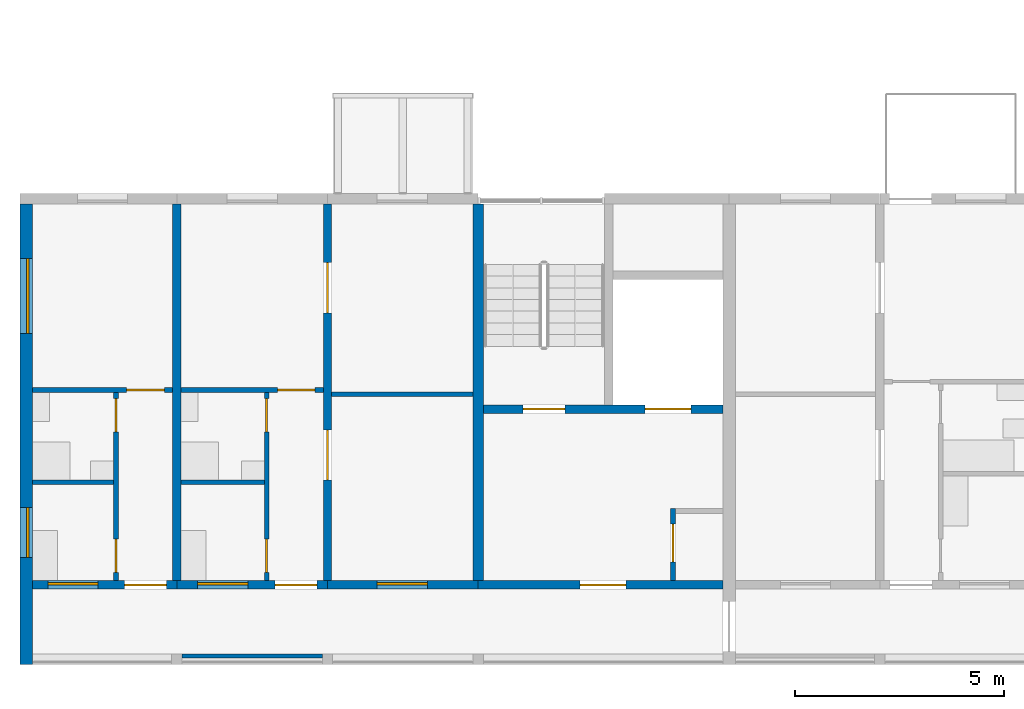
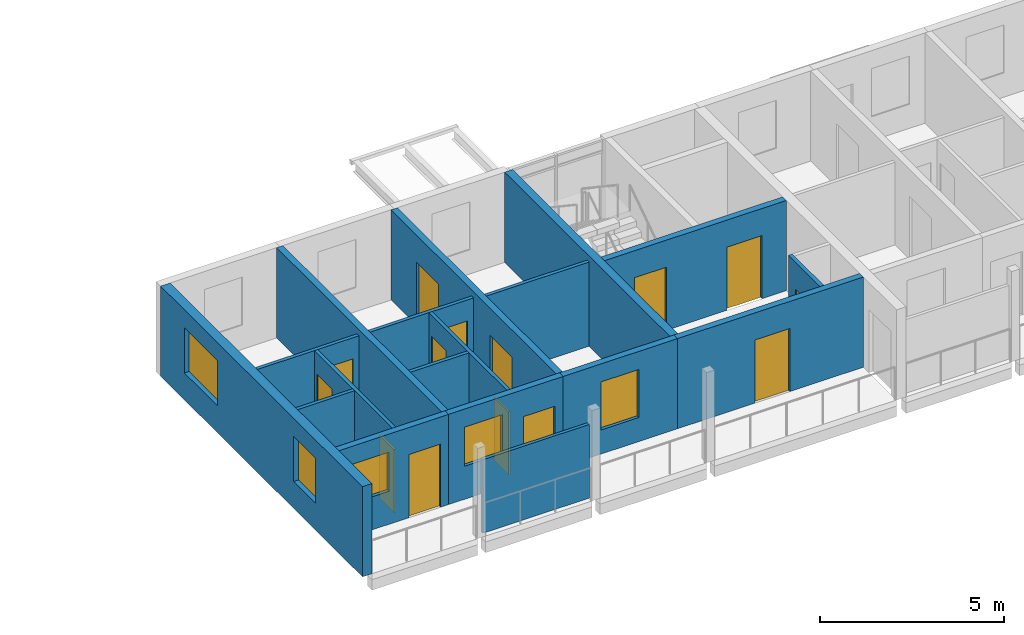
# One storey, part 36 of 87: 18 walls, 14 doors, 5 windows, 19 openings.
"""IFC4 building model written with IfcOpenShell, lengths in metres."""

from ifc_helpers import new_model, si_unit, direction, frame, frame_2d, origin, place, context, subcontext, project, spatial, rectangle, extrude, material, layer, layer_set, type_object, element, fill, save


model = new_model("IFC4")

# Units and contexts
model_context = context("Model", 3, precision=1e-05, world=origin(), true_north=direction((0.0, 1.0)))
body_context = subcontext(model_context, "Body", "Model", "MODEL_VIEW")
ifc_project = project(units=[si_unit("LENGTHUNIT", "METRE"), si_unit("AREAUNIT", "SQUARE_METRE"), si_unit("VOLUMEUNIT", "CUBIC_METRE"), si_unit("PLANEANGLEUNIT", "RADIAN"), si_unit("MASSUNIT", "GRAM", prefix="KILO")], contexts=[model_context])

# Site, building, storey
site_placement = place(None, origin())
site = spatial("IfcSite", under=ifc_project, at=site_placement, CompositionType="ELEMENT")
building_placement = place(site_placement, origin())
building = spatial("IfcBuilding", under=site, at=building_placement, Name="Ridgestep Commons", CompositionType="ELEMENT")
storey_placement = place(building_placement, frame((0.0, 0.0, 27.0)))
storey = spatial("IfcBuildingStorey", under=building, at=storey_placement, Name="L09", CompositionType="ELEMENT", Elevation=27.0)

# Wall
ifc_material_1 = material(Name="Concrete C30/37", Category="concrete")
ifc_layer_1 = layer(ifc_material_1, 0.25)
ifc_layer_set_1 = layer_set([ifc_layer_1], Name="Core cross wall 250")
wall_type_1 = type_object("IfcWallType", Name="Core cross wall 250", PredefinedType="SHEAR", material=ifc_layer_set_1)
wall_1_placement = place(storey_placement, frame((22.800048828125, 13.75, 0.0), z_axis=(0.0, 0.0, 1.0), x_axis=(0.0, 1.0, 0.0)))
element("IfcWall", 1, at=wall_1_placement, inside=storey, type_object=wall_type_1, Name="Cross wall A-09-0228", PredefinedType="SHEAR", context=body_context, shape_type="SweptSolid", body=[
    extrude(rectangle(XDim=9.0, YDim=0.25, at=frame_2d((4.5, 0.0))), origin(), (0.0, 0.0, 1.0), 3.0),
])

# Wall, opening, door
ifc_material_2 = material(Name="Concrete C30/37", Category="concrete")
ifc_layer_2 = layer(ifc_material_2, 0.199951171875)
ifc_layer_set_2 = layer_set([ifc_layer_2], Name="Core south wall 200")
wall_type_2 = type_object("IfcWallType", Name="Core south wall 200", PredefinedType="SHEAR", material=ifc_layer_set_2)
wall_2_placement = place(storey_placement, frame((22.800048828125, 13.64990234375, 0.0), z_axis=(0.0, 0.0, 1.0), x_axis=(1.0, 0.0, 0.0)))
wall_2 = element("IfcWall", 2, at=wall_2_placement, inside=storey, type_object=wall_type_2, Name="Core south wall A1C L09", PredefinedType="SHEAR", context=body_context, shape_type="SweptSolid", body=[
    extrude(rectangle(XDim=5.849853515625, YDim=0.199951171875, at=frame_2d((2.9248046875, 0.0))), origin(), (0.0, 0.0, 1.0), 3.0),
])
opening_1_placement = place(wall_2_placement, frame((2.4375, 0.0, 0.0)))
opening_1 = element("IfcOpeningElement", 3, at=opening_1_placement, cuts=wall_2, Name="Opening A1C/09/1", PredefinedType="OPENING", context=body_context, shape_type="SweptSolid", body=[
    extrude(rectangle(XDim=1.10009765625, YDim=2.10009765625, at=frame_2d((0.550048828125, 1.050048828125))), frame((0.0, 0.10986328125, 0.0), z_axis=(0.0, -1.0, 0.0), x_axis=(1.0, 0.0, 0.0)), (0.0, 0.0, 1.0), 0.219970703125),
])
ifc_material_3 = material(Name="Steel fire door", Category="steel")
door_type_1 = type_object("IfcDoorType", Name="Lobby door 1100 x 2100 FD60", OperationType="NOTDEFINED", PredefinedType="DOOR", material=ifc_material_3)
door_1_placement = place(opening_1_placement, origin())
door_1 = element("IfcDoor", 4, at=door_1_placement, inside=storey, type_object=door_type_1, Name="Lobby door A1C/09/1", OperationType="SINGLE_SWING_LEFT", OverallHeight=2.10009765625, OverallWidth=1.10009765625, PredefinedType="DOOR", context=body_context, shape_type="SweptSolid", body=[
    extrude(rectangle(XDim=1.10009765625, YDim=2.10009765625, at=frame_2d((0.550048828125, 1.050048828125))), frame((0.0, 0.02490234375, 0.0), z_axis=(0.0, -1.0, 0.0), x_axis=(1.0, 0.0, 0.0)), (0.0, 0.0, 1.0), 0.050048828125),
])
fill(opening_1, door_1)

ifc_material_4 = material(Name="Concrete C30/37", Category="concrete")
ifc_layer_3 = layer(ifc_material_4, 0.1201171875)
ifc_layer_set_3 = layer_set([ifc_layer_3], Name="Core wall 120")
wall_type_3 = type_object("IfcWallType", Name="Core wall 120", PredefinedType="SHEAR", material=ifc_layer_set_3)
wall_3_placement = place(storey_placement, frame((27.4599609375, 13.75, 0.0), z_axis=(0.0, 0.0, 1.0), x_axis=(0.0, 1.0, 0.0)))
wall_3 = element("IfcWall", 5, at=wall_3_placement, inside=storey, type_object=wall_type_3, Name="Core riser w wall A1C L09", PredefinedType="SHEAR", context=body_context, shape_type="SweptSolid", body=[
    extrude(rectangle(XDim=1.719970703125, YDim=0.1201171875, at=frame_2d((0.85986328125, 0.0))), origin(), (0.0, 0.0, 1.0), 3.0),
])
opening_2_placement = place(wall_3_placement, frame((0.449951171875, 0.0, 0.0)))
opening_2 = element("IfcOpeningElement", 6, at=opening_2_placement, cuts=wall_3, Name="Opening A1C/09/4", PredefinedType="OPENING", context=body_context, shape_type="SweptSolid", body=[
    extrude(rectangle(XDim=0.89990234375, YDim=2.10009765625, at=frame_2d((0.449951171875, 1.050048828125))), frame((0.0, 0.070068359375, 0.0), z_axis=(0.0, -1.0, 0.0), x_axis=(1.0, 0.0, 0.0)), (0.0, 0.0, 1.0), 0.14013671875),
])
ifc_material_5 = material(Name="Steel fire door", Category="steel")
door_type_2 = type_object("IfcDoorType", Name="Riser door 900 x 2100 FD60", OperationType="NOTDEFINED", PredefinedType="DOOR", material=ifc_material_5)
door_2_placement = place(opening_2_placement, origin())
door_2 = element("IfcDoor", 7, at=door_2_placement, inside=storey, type_object=door_type_2, Name="Riser door A1C/09/4", OperationType="SINGLE_SWING_LEFT", OverallHeight=2.10009765625, OverallWidth=0.89990234375, PredefinedType="DOOR", context=body_context, shape_type="SweptSolid", body=[
    extrude(rectangle(XDim=0.89990234375, YDim=2.10009765625, at=frame_2d((0.449951171875, 1.050048828125))), frame((0.0, 0.02490234375, 0.0), z_axis=(0.0, -1.0, 0.0), x_axis=(1.0, 0.0, 0.0)), (0.0, 0.0, 1.0), 0.050048828125),
])
fill(opening_2, door_2)

# Wall, openings, doors
ifc_material_6 = material(Name="Concrete C30/37", Category="concrete")
ifc_layer_4 = layer(ifc_material_6, 0.199951171875)
ifc_layer_set_4 = layer_set([ifc_layer_4], Name="Core wall 200")
wall_type_4 = type_object("IfcWallType", Name="Core wall 200", PredefinedType="SHEAR", material=ifc_layer_set_4)
wall_4_placement = place(storey_placement, frame((22.925048828125, 17.85009765625, 0.0), z_axis=(0.0, 0.0, 1.0), x_axis=(1.0, 0.0, 0.0)))
wall_4 = element("IfcWall", 8, at=wall_4_placement, inside=storey, type_object=wall_type_4, Name="Core lobby wall A1C L09", PredefinedType="SHEAR", context=body_context, shape_type="SweptSolid", body=[
    extrude(rectangle(XDim=5.724853515625, YDim=0.199951171875, at=frame_2d((2.8623046875, 0.0))), origin(), (0.0, 0.0, 1.0), 3.0),
])
opening_3_placement = place(wall_4_placement, frame((0.949951171875, 0.0, 0.0)))
opening_3 = element("IfcOpeningElement", 9, at=opening_3_placement, cuts=wall_4, Name="Opening A1C/09/2", PredefinedType="OPENING", context=body_context, shape_type="SweptSolid", body=[
    extrude(rectangle(XDim=1.0, YDim=2.10009765625, at=frame_2d((0.5, 1.050048828125))), frame((0.0, 0.10986328125, 0.0), z_axis=(0.0, -1.0, 0.0), x_axis=(1.0, 0.0, 0.0)), (0.0, 0.0, 1.0), 0.219970703125),
])
opening_4_placement = place(wall_4_placement, frame((3.862548828125, 0.0, 0.0)))
opening_4 = element("IfcOpeningElement", 10, at=opening_4_placement, cuts=wall_4, Name="Opening A1C/09/3", PredefinedType="OPENING", context=body_context, shape_type="SweptSolid", body=[
    extrude(rectangle(XDim=1.10009765625, YDim=2.10009765625, at=frame_2d((0.550048828125, 1.050048828125))), frame((0.0, 0.10986328125, 0.0), z_axis=(0.0, -1.0, 0.0), x_axis=(1.0, 0.0, 0.0)), (0.0, 0.0, 1.0), 0.219970703125),
])
ifc_material_7 = material(Name="Stainless steel", Category="steel")
door_type_3 = type_object("IfcDoorType", Name="Lift landing door 1100 x 2100 FD60", OperationType="DOUBLE_DOOR_SLIDING", PredefinedType="DOOR", material=ifc_material_7)
door_3_placement = place(opening_4_placement, origin())
door_3 = element("IfcDoor", 11, at=door_3_placement, inside=storey, type_object=door_type_3, Name="Landing door LD A1C L09", OperationType="DOUBLE_DOOR_SLIDING", OverallHeight=2.10009765625, OverallWidth=1.10009765625, PredefinedType="DOOR", context=body_context, shape_type="SweptSolid", body=[
    extrude(rectangle(XDim=1.10009765625, YDim=2.10009765625, at=frame_2d((0.550048828125, 1.050048828125))), frame((0.0, 0.02490234375, 0.0), z_axis=(0.0, -1.0, 0.0), x_axis=(1.0, 0.0, 0.0)), (0.0, 0.0, 1.0), 0.050048828125),
])
fill(opening_4, door_3)
ifc_material_8 = material(Name="Steel fire door", Category="steel")
door_type_4 = type_object("IfcDoorType", Name="Stair door 1000 x 2100 FD60", OperationType="NOTDEFINED", PredefinedType="DOOR", material=ifc_material_8)
door_4_placement = place(opening_3_placement, origin())
door_4 = element("IfcDoor", 12, at=door_4_placement, inside=storey, type_object=door_type_4, Name="Stair door A1C/09/2", OperationType="SINGLE_SWING_RIGHT", OverallHeight=2.10009765625, OverallWidth=1.0, PredefinedType="DOOR", context=body_context, shape_type="SweptSolid", body=[
    extrude(rectangle(XDim=1.0, YDim=2.10009765625, at=frame_2d((0.5, 1.050048828125))), frame((0.0, 0.02490234375, 0.0), z_axis=(0.0, -1.0, 0.0), x_axis=(1.0, 0.0, 0.0)), (0.0, 0.0, 1.0), 0.050048828125),
])
fill(opening_3, door_4)

# Wall
ifc_material_9 = material(Name="Precast concrete C40/50", Category="concrete")
ifc_layer_5 = layer(ifc_material_9, 0.199951171875)
ifc_layer_set_5 = layer_set([ifc_layer_5], Name="Cross wall 200")
wall_type_5 = type_object("IfcWallType", Name="Cross wall 200", PredefinedType="SHEAR", material=ifc_layer_set_5)
wall_5_placement = place(storey_placement, frame((15.60009765625, 13.75, 0.0), z_axis=(0.0, 0.0, 1.0), x_axis=(0.0, 1.0, 0.0)))
element("IfcWall", 13, at=wall_5_placement, inside=storey, type_object=wall_type_5, Name="Cross wall A-09-0156", PredefinedType="SHEAR", context=body_context, shape_type="SweptSolid", body=[
    extrude(rectangle(XDim=9.0, YDim=0.199951171875, at=frame_2d((4.5, 0.0))), origin(), (0.0, 0.0, 1.0), 3.0),
])

# Wall, openings, doors
wall_6_placement = place(storey_placement, frame((19.199951171875, 13.75, 0.0), z_axis=(0.0, 0.0, 1.0), x_axis=(0.0, 1.0, 0.0)))
wall_6 = element("IfcWall", 14, at=wall_6_placement, inside=storey, type_object=wall_type_5, Name="Cross wall A-09-0192", PredefinedType="SHEAR", context=body_context, shape_type="SweptSolid", body=[
    extrude(rectangle(XDim=9.0, YDim=0.199951171875, at=frame_2d((4.5, 0.0))), origin(), (0.0, 0.0, 1.0), 3.0),
])
opening_5_placement = place(wall_6_placement, frame((2.39990234375, 0.0, 0.0)))
opening_5 = element("IfcOpeningElement", 15, at=opening_5_placement, cuts=wall_6, Name="Opening A1-09b/5", PredefinedType="OPENING", context=body_context, shape_type="SweptSolid", body=[
    extrude(rectangle(XDim=1.199951171875, YDim=2.10009765625, at=frame_2d((0.60009765625, 1.050048828125))), frame((0.0, 0.10986328125, 0.0), z_axis=(0.0, -1.0, 0.0), x_axis=(1.0, 0.0, 0.0)), (0.0, 0.0, 1.0), 0.219970703125),
])
opening_6_placement = place(wall_6_placement, frame((6.39990234375, 0.0, 0.0)))
opening_6 = element("IfcOpeningElement", 16, at=opening_6_placement, cuts=wall_6, Name="Opening A1-09b/6", PredefinedType="OPENING", context=body_context, shape_type="SweptSolid", body=[
    extrude(rectangle(XDim=1.199951171875, YDim=2.10009765625, at=frame_2d((0.60009765625, 1.050048828125))), frame((0.0, 0.10986328125, 0.0), z_axis=(0.0, -1.0, 0.0), x_axis=(1.0, 0.0, 0.0)), (0.0, 0.0, 1.0), 0.219970703125),
])
ifc_material_10 = material(Name="Timber door leaf", Category="wood")
door_type_5 = type_object("IfcDoorType", Name="Double door 1200 x 2100", OperationType="DOUBLE_DOOR_SINGLE_SWING", PredefinedType="DOOR", material=ifc_material_10)
door_5_placement = place(opening_5_placement, origin())
door_5 = element("IfcDoor", 17, at=door_5_placement, inside=storey, type_object=door_type_5, Name="Double door A1-09b/5", OperationType="DOUBLE_DOOR_SINGLE_SWING", OverallHeight=2.10009765625, OverallWidth=1.199951171875, PredefinedType="DOOR", context=body_context, shape_type="SweptSolid", body=[
    extrude(rectangle(XDim=1.199951171875, YDim=2.10009765625, at=frame_2d((0.60009765625, 1.050048828125))), frame((0.0, 0.02490234375, 0.0), z_axis=(0.0, -1.0, 0.0), x_axis=(1.0, 0.0, 0.0)), (0.0, 0.0, 1.0), 0.050048828125),
])
fill(opening_5, door_5)
door_6_placement = place(opening_6_placement, origin())
door_6 = element("IfcDoor", 18, at=door_6_placement, inside=storey, type_object=door_type_5, Name="Double door A1-09b/6", OperationType="DOUBLE_DOOR_SINGLE_SWING", OverallHeight=2.10009765625, OverallWidth=1.199951171875, PredefinedType="DOOR", context=body_context, shape_type="SweptSolid", body=[
    extrude(rectangle(XDim=1.199951171875, YDim=2.10009765625, at=frame_2d((0.60009765625, 1.050048828125))), frame((0.0, 0.02490234375, 0.0), z_axis=(0.0, -1.0, 0.0), x_axis=(1.0, 0.0, 0.0)), (0.0, 0.0, 1.0), 0.050048828125),
])
fill(opening_6, door_6)

# Wall, openings, windows
ifc_material_11 = material(Name="Precast concrete C40/50", Category="concrete")
ifc_layer_6 = layer(ifc_material_11, 0.300048828125)
ifc_layer_set_6 = layer_set([ifc_layer_6], Name="Exposed division wall 300")
wall_type_6 = type_object("IfcWallType", Name="Exposed division wall 300", PredefinedType="SHEAR", material=ifc_layer_set_6)
wall_7_placement = place(storey_placement, frame((12.0, 11.75, 0.0), z_axis=(0.0, 0.0, 1.0), x_axis=(0.0, 1.0, 0.0)))
wall_7 = element("IfcWall", 19, at=wall_7_placement, inside=storey, type_object=wall_type_6, Name="Cross wall A-09-0120", PredefinedType="SHEAR", context=body_context, shape_type="SweptSolid", body=[
    extrude(rectangle(XDim=11.0, YDim=0.300048828125, at=frame_2d((5.5, 0.0))), origin(), (0.0, 0.0, 1.0), 3.0),
])
opening_7_placement = place(wall_7_placement, frame((2.550048828125, 0.0, 0.89990234375)))
opening_7 = element("IfcOpeningElement", 20, at=opening_7_placement, cuts=wall_7, Name="Opening W10", PredefinedType="OPENING", context=body_context, shape_type="SweptSolid", body=[
    extrude(rectangle(XDim=1.199951171875, YDim=1.5, at=frame_2d((0.60009765625, 0.75))), frame((0.0, 0.159912109375, 0.0), z_axis=(0.0, -1.0, 0.0), x_axis=(1.0, 0.0, 0.0)), (0.0, 0.0, 1.0), 0.320068359375),
])
opening_8_placement = place(wall_7_placement, frame((7.905029296875, 0.0, 0.89990234375)))
opening_8 = element("IfcOpeningElement", 21, at=opening_8_placement, cuts=wall_7, Name="Opening W20", PredefinedType="OPENING", context=body_context, shape_type="SweptSolid", body=[
    extrude(rectangle(XDim=1.800048828125, YDim=1.5, at=frame_2d((0.89990234375, 0.75))), frame((0.0, 0.159912109375, 0.0), z_axis=(0.0, -1.0, 0.0), x_axis=(1.0, 0.0, 0.0)), (0.0, 0.0, 1.0), 0.320068359375),
])
ifc_material_12 = material(Name="Aluminium 6063-T6 and glass", Category="aluminium")
window_type_1 = type_object("IfcWindowType", Name="Flat window 1200 x 1500", PartitioningType="SINGLE_PANEL", PredefinedType="WINDOW", material=ifc_material_12)
window_1_placement = place(opening_7_placement, origin())
window_1 = element("IfcWindow", 22, at=window_1_placement, inside=storey, type_object=window_type_1, Name="Window A1-09a 3", OverallHeight=1.5, OverallWidth=1.199951171875, PartitioningType="SINGLE_PANEL", PredefinedType="WINDOW", context=body_context, shape_type="SweptSolid", body=[
    extrude(rectangle(XDim=1.199951171875, YDim=1.5, at=frame_2d((0.60009765625, 0.75))), frame((0.0, 0.0, 0.0), z_axis=(0.0, -1.0, 0.0), x_axis=(1.0, 0.0, 0.0)), (0.0, 0.0, 1.0), 0.06005859375),
])
fill(opening_7, window_1)
ifc_material_13 = material(Name="Aluminium 6063-T6 and glass", Category="aluminium")
window_type_2 = type_object("IfcWindowType", Name="Flat window 1800 x 1500", PartitioningType="DOUBLE_PANEL_VERTICAL", PredefinedType="WINDOW", material=ifc_material_13)
window_2_placement = place(opening_8_placement, origin())
window_2 = element("IfcWindow", 23, at=window_2_placement, inside=storey, type_object=window_type_2, Name="Window A1-09a 4", OverallHeight=1.5, OverallWidth=1.800048828125, PartitioningType="SINGLE_PANEL", PredefinedType="WINDOW", context=body_context, shape_type="SweptSolid", body=[
    extrude(rectangle(XDim=1.800048828125, YDim=1.5, at=frame_2d((0.89990234375, 0.75))), frame((0.0, 0.0, 0.0), z_axis=(0.0, -1.0, 0.0), x_axis=(1.0, 0.0, 0.0)), (0.0, 0.0, 1.0), 0.06005859375),
])
fill(opening_8, window_2)

# Wall
ifc_material_14 = material(Name="Common brick 110 mm", Category="masonry")
ifc_layer_7 = layer(ifc_material_14, 0.110107421875)
ifc_layer_set_7 = layer_set([ifc_layer_7], Name="Partition 110")
wall_type_7 = type_object("IfcWallType", Name="Partition 110", PredefinedType="PARTITIONING", material=ifc_layer_set_7)
wall_8_placement = place(storey_placement, frame((12.14990234375, 16.10498046875, 0.0), z_axis=(0.0, 0.0, 1.0), x_axis=(1.0, 0.0, 0.0)))
element("IfcWall", 24, at=wall_8_placement, inside=storey, type_object=wall_type_7, Name="Partition A1-09a", PredefinedType="PARTITIONING", context=body_context, shape_type="SweptSolid", body=[
    extrude(rectangle(XDim=1.940185546875, YDim=0.110107421875, at=frame_2d((0.97021484375, 0.0))), origin(), (0.0, 0.0, 1.0), 2.800048828125),
])

# Wall, openings, doors
wall_9_placement = place(storey_placement, frame((14.14501953125, 13.75, 0.0), z_axis=(0.0, 0.0, 1.0), x_axis=(0.0, 1.0, 0.0)))
wall_9 = element("IfcWall", 25, at=wall_9_placement, inside=storey, type_object=wall_type_7, Name="Partition A1-09a", PredefinedType="PARTITIONING", context=body_context, shape_type="SweptSolid", body=[
    extrude(rectangle(XDim=4.5, YDim=0.110107421875, at=frame_2d((2.25, 0.0))), origin(), (0.0, 0.0, 1.0), 2.800048828125),
])
opening_9_placement = place(wall_9_placement, frame((0.199951171875, 0.0, 0.0)))
opening_9 = element("IfcOpeningElement", 26, at=opening_9_placement, cuts=wall_9, Name="Opening A1-09a/2", PredefinedType="OPENING", context=body_context, shape_type="SweptSolid", body=[
    extrude(rectangle(XDim=0.800048828125, YDim=2.10009765625, at=frame_2d((0.39990234375, 1.050048828125))), frame((0.0, 0.06494140625, 0.0), z_axis=(0.0, -1.0, 0.0), x_axis=(1.0, 0.0, 0.0)), (0.0, 0.0, 1.0), 0.130126953125),
])
opening_10_placement = place(wall_9_placement, frame((3.550048828125, 0.0, 0.0)))
opening_10 = element("IfcOpeningElement", 27, at=opening_10_placement, cuts=wall_9, Name="Opening A1-09a/3", PredefinedType="OPENING", context=body_context, shape_type="SweptSolid", body=[
    extrude(rectangle(XDim=0.800048828125, YDim=2.10009765625, at=frame_2d((0.39990234375, 1.050048828125))), frame((0.0, 0.06494140625, 0.0), z_axis=(0.0, -1.0, 0.0), x_axis=(1.0, 0.0, 0.0)), (0.0, 0.0, 1.0), 0.130126953125),
])
ifc_material_15 = material(Name="Timber door leaf", Category="wood")
door_type_6 = type_object("IfcDoorType", Name="Internal door 800 x 2100", OperationType="NOTDEFINED", PredefinedType="DOOR", material=ifc_material_15)
door_7_placement = place(opening_9_placement, origin())
door_7 = element("IfcDoor", 28, at=door_7_placement, inside=storey, type_object=door_type_6, Name="Internal door A1-09a/2", OperationType="SINGLE_SWING_LEFT", OverallHeight=2.10009765625, OverallWidth=0.800048828125, PredefinedType="DOOR", context=body_context, shape_type="SweptSolid", body=[
    extrude(rectangle(XDim=0.800048828125, YDim=2.10009765625, at=frame_2d((0.39990234375, 1.050048828125))), frame((0.0, 0.02490234375, 0.0), z_axis=(0.0, -1.0, 0.0), x_axis=(1.0, 0.0, 0.0)), (0.0, 0.0, 1.0), 0.050048828125),
])
fill(opening_9, door_7)
door_8_placement = place(opening_10_placement, origin())
door_8 = element("IfcDoor", 29, at=door_8_placement, inside=storey, type_object=door_type_6, Name="Internal door A1-09a/3", OperationType="SINGLE_SWING_RIGHT", OverallHeight=2.10009765625, OverallWidth=0.800048828125, PredefinedType="DOOR", context=body_context, shape_type="SweptSolid", body=[
    extrude(rectangle(XDim=0.800048828125, YDim=2.10009765625, at=frame_2d((0.39990234375, 1.050048828125))), frame((0.0, 0.02490234375, 0.0), z_axis=(0.0, -1.0, 0.0), x_axis=(1.0, 0.0, 0.0)), (0.0, 0.0, 1.0), 0.050048828125),
])
fill(opening_10, door_8)

# Wall, opening, door
wall_10_placement = place(storey_placement, frame((12.14990234375, 18.304931640625, 0.0), z_axis=(0.0, 0.0, 1.0), x_axis=(1.0, 0.0, 0.0)))
wall_10 = element("IfcWall", 30, at=wall_10_placement, inside=storey, type_object=wall_type_7, Name="Partition A1-09a", PredefinedType="PARTITIONING", context=body_context, shape_type="SweptSolid", body=[
    extrude(rectangle(XDim=3.35009765625, YDim=0.110107421875, at=frame_2d((1.675048828125, 0.0))), origin(), (0.0, 0.0, 1.0), 2.800048828125),
])
opening_11_placement = place(wall_10_placement, frame((2.25, 0.0, 0.0)))
opening_11 = element("IfcOpeningElement", 31, at=opening_11_placement, cuts=wall_10, Name="Opening A1-09a/4", PredefinedType="OPENING", context=body_context, shape_type="SweptSolid", body=[
    extrude(rectangle(XDim=0.89990234375, YDim=2.10009765625, at=frame_2d((0.449951171875, 1.050048828125))), frame((0.0, 0.06494140625, 0.0), z_axis=(0.0, -1.0, 0.0), x_axis=(1.0, 0.0, 0.0)), (0.0, 0.0, 1.0), 0.130126953125),
])
ifc_material_16 = material(Name="Timber door leaf", Category="wood")
door_type_7 = type_object("IfcDoorType", Name="Internal door 900 x 2100", OperationType="NOTDEFINED", PredefinedType="DOOR", material=ifc_material_16)
door_9_placement = place(opening_11_placement, origin())
door_9 = element("IfcDoor", 32, at=door_9_placement, inside=storey, type_object=door_type_7, Name="Internal door A1-09a/4", OperationType="SINGLE_SWING_LEFT", OverallHeight=2.10009765625, OverallWidth=0.89990234375, PredefinedType="DOOR", context=body_context, shape_type="SweptSolid", body=[
    extrude(rectangle(XDim=0.89990234375, YDim=2.10009765625, at=frame_2d((0.449951171875, 1.050048828125))), frame((0.0, 0.02490234375, 0.0), z_axis=(0.0, -1.0, 0.0), x_axis=(1.0, 0.0, 0.0)), (0.0, 0.0, 1.0), 0.050048828125),
])
fill(opening_11, door_9)

# Wall
wall_11_placement = place(storey_placement, frame((15.699951171875, 16.10498046875, 0.0), z_axis=(0.0, 0.0, 1.0), x_axis=(1.0, 0.0, 0.0)))
element("IfcWall", 33, at=wall_11_placement, inside=storey, type_object=wall_type_7, Name="Partition A1-09b", PredefinedType="PARTITIONING", context=body_context, shape_type="SweptSolid", body=[
    extrude(rectangle(XDim=1.989990234375, YDim=0.110107421875, at=frame_2d((0.9951171875, 0.0))), origin(), (0.0, 0.0, 1.0), 2.800048828125),
])

# Wall, openings, doors
wall_12_placement = place(storey_placement, frame((17.7451171875, 13.75, 0.0), z_axis=(0.0, 0.0, 1.0), x_axis=(0.0, 1.0, 0.0)))
wall_12 = element("IfcWall", 34, at=wall_12_placement, inside=storey, type_object=wall_type_7, Name="Partition A1-09b", PredefinedType="PARTITIONING", context=body_context, shape_type="SweptSolid", body=[
    extrude(rectangle(XDim=4.5, YDim=0.110107421875, at=frame_2d((2.25, 0.0))), origin(), (0.0, 0.0, 1.0), 2.800048828125),
])
opening_12_placement = place(wall_12_placement, frame((0.199951171875, 0.0, 0.0)))
opening_12 = element("IfcOpeningElement", 35, at=opening_12_placement, cuts=wall_12, Name="Opening A1-09b/2", PredefinedType="OPENING", context=body_context, shape_type="SweptSolid", body=[
    extrude(rectangle(XDim=0.800048828125, YDim=2.10009765625, at=frame_2d((0.39990234375, 1.050048828125))), frame((0.0, 0.06494140625, 0.0), z_axis=(0.0, -1.0, 0.0), x_axis=(1.0, 0.0, 0.0)), (0.0, 0.0, 1.0), 0.130126953125),
])
opening_13_placement = place(wall_12_placement, frame((3.550048828125, 0.0, 0.0)))
opening_13 = element("IfcOpeningElement", 36, at=opening_13_placement, cuts=wall_12, Name="Opening A1-09b/3", PredefinedType="OPENING", context=body_context, shape_type="SweptSolid", body=[
    extrude(rectangle(XDim=0.800048828125, YDim=2.10009765625, at=frame_2d((0.39990234375, 1.050048828125))), frame((0.0, 0.06494140625, 0.0), z_axis=(0.0, -1.0, 0.0), x_axis=(1.0, 0.0, 0.0)), (0.0, 0.0, 1.0), 0.130126953125),
])
door_10_placement = place(opening_12_placement, origin())
door_10 = element("IfcDoor", 37, at=door_10_placement, inside=storey, type_object=door_type_6, Name="Internal door A1-09b/2", OperationType="SINGLE_SWING_LEFT", OverallHeight=2.10009765625, OverallWidth=0.800048828125, PredefinedType="DOOR", context=body_context, shape_type="SweptSolid", body=[
    extrude(rectangle(XDim=0.800048828125, YDim=2.10009765625, at=frame_2d((0.39990234375, 1.050048828125))), frame((0.0, 0.02490234375, 0.0), z_axis=(0.0, -1.0, 0.0), x_axis=(1.0, 0.0, 0.0)), (0.0, 0.0, 1.0), 0.050048828125),
])
fill(opening_12, door_10)
door_11_placement = place(opening_13_placement, origin())
door_11 = element("IfcDoor", 38, at=door_11_placement, inside=storey, type_object=door_type_6, Name="Internal door A1-09b/3", OperationType="SINGLE_SWING_RIGHT", OverallHeight=2.10009765625, OverallWidth=0.800048828125, PredefinedType="DOOR", context=body_context, shape_type="SweptSolid", body=[
    extrude(rectangle(XDim=0.800048828125, YDim=2.10009765625, at=frame_2d((0.39990234375, 1.050048828125))), frame((0.0, 0.02490234375, 0.0), z_axis=(0.0, -1.0, 0.0), x_axis=(1.0, 0.0, 0.0)), (0.0, 0.0, 1.0), 0.050048828125),
])
fill(opening_13, door_11)

# Wall, opening, door
wall_13_placement = place(storey_placement, frame((15.699951171875, 18.304931640625, 0.0), z_axis=(0.0, 0.0, 1.0), x_axis=(1.0, 0.0, 0.0)))
wall_13 = element("IfcWall", 39, at=wall_13_placement, inside=storey, type_object=wall_type_7, Name="Partition A1-09b", PredefinedType="PARTITIONING", context=body_context, shape_type="SweptSolid", body=[
    extrude(rectangle(XDim=3.400146484375, YDim=0.110107421875, at=frame_2d((1.7001953125, 0.0))), origin(), (0.0, 0.0, 1.0), 2.800048828125),
])
opening_14_placement = place(wall_13_placement, frame((2.300048828125, 0.0, 0.0)))
opening_14 = element("IfcOpeningElement", 40, at=opening_14_placement, cuts=wall_13, Name="Opening A1-09b/4", PredefinedType="OPENING", context=body_context, shape_type="SweptSolid", body=[
    extrude(rectangle(XDim=0.89990234375, YDim=2.10009765625, at=frame_2d((0.449951171875, 1.050048828125))), frame((0.0, 0.06494140625, 0.0), z_axis=(0.0, -1.0, 0.0), x_axis=(1.0, 0.0, 0.0)), (0.0, 0.0, 1.0), 0.130126953125),
])
door_12_placement = place(opening_14_placement, origin())
door_12 = element("IfcDoor", 41, at=door_12_placement, inside=storey, type_object=door_type_7, Name="Internal door A1-09b/4", OperationType="SINGLE_SWING_LEFT", OverallHeight=2.10009765625, OverallWidth=0.89990234375, PredefinedType="DOOR", context=body_context, shape_type="SweptSolid", body=[
    extrude(rectangle(XDim=0.89990234375, YDim=2.10009765625, at=frame_2d((0.449951171875, 1.050048828125))), frame((0.0, 0.02490234375, 0.0), z_axis=(0.0, -1.0, 0.0), x_axis=(1.0, 0.0, 0.0)), (0.0, 0.0, 1.0), 0.050048828125),
])
fill(opening_14, door_12)

# Walls
wall_14_placement = place(storey_placement, frame((19.300048828125, 18.205078125, 0.0), z_axis=(0.0, 0.0, 1.0), x_axis=(1.0, 0.0, 0.0)))
element("IfcWall", 42, at=wall_14_placement, inside=storey, type_object=wall_type_7, Name="Partition A1-09b", PredefinedType="PARTITIONING", context=body_context, shape_type="SweptSolid", body=[
    extrude(rectangle(XDim=3.375, YDim=0.110107421875, at=frame_2d((1.6875, 0.0))), origin(), (0.0, 0.0, 1.0), 2.800048828125),
])
ifc_material_17 = material(Name="Precast concrete C30/37", Category="concrete")
ifc_layer_8 = layer(ifc_material_17, 0.10009765625)
ifc_layer_set_8 = layer_set([ifc_layer_8], Name="Perforated gallery screen 3350 x 2450 x 100")
wall_type_8 = type_object("IfcWallType", Name="Perforated gallery screen 3350 x 2450 x 100", PredefinedType="SOLIDWALL", material=ifc_layer_set_8)
wall_15_placement = place(storey_placement, frame((15.72509765625, 11.949951171875, 0.0), z_axis=(0.0, 0.0, 1.0), x_axis=(1.0, 0.0, 0.0)))
element("IfcWall", 43, at=wall_15_placement, inside=storey, type_object=wall_type_8, Name="Gallery screen A1T2 09", PredefinedType="SOLIDWALL", context=body_context, shape_type="SweptSolid", body=[
    extrude(rectangle(XDim=3.349853515625, YDim=0.10009765625, at=frame_2d((1.6748046875, 0.0))), origin(), (0.0, 0.0, 1.0), 2.449951171875),
])

# Wall, openings, door, window
ifc_material_18 = material(Name="Precast concrete C40/50", Category="concrete")
ifc_layer_9 = layer(ifc_material_18, 0.199951171875)
ifc_layer_set_9 = layer_set([ifc_layer_9], Name="South facade panel 200")
wall_type_9 = type_object("IfcWallType", Name="South facade panel 200", PredefinedType="SOLIDWALL", material=ifc_layer_set_9)
wall_16_placement = place(storey_placement, frame((12.14990234375, 13.64990234375, 0.0), z_axis=(0.0, 0.0, 1.0), x_axis=(1.0, 0.0, 0.0)))
wall_16 = element("IfcWall", 44, at=wall_16_placement, inside=storey, type_object=wall_type_9, Name="South panel A1T1 L09", PredefinedType="SOLIDWALL", context=body_context, shape_type="SweptSolid", body=[
    extrude(rectangle(XDim=3.4501953125, YDim=0.199951171875, at=frame_2d((1.72509765625, 0.0))), origin(), (0.0, 0.0, 1.0), 3.0),
])
opening_15_placement = place(wall_16_placement, frame((0.3701171875, 0.0, 1.10009765625)))
opening_15 = element("IfcOpeningElement", 45, at=opening_15_placement, cuts=wall_16, Name="Opening W08", PredefinedType="OPENING", context=body_context, shape_type="SweptSolid", body=[
    extrude(rectangle(XDim=1.199951171875, YDim=1.300048828125, at=frame_2d((0.60009765625, 0.64990234375))), frame((0.0, 0.10986328125, 0.0), z_axis=(0.0, -1.0, 0.0), x_axis=(1.0, 0.0, 0.0)), (0.0, 0.0, 1.0), 0.219970703125),
])
opening_16_placement = place(wall_16_placement, frame((2.199951171875, 0.0, 0.0)))
opening_16 = element("IfcOpeningElement", 46, at=opening_16_placement, cuts=wall_16, Name="Opening A1-09a/1", PredefinedType="OPENING", context=body_context, shape_type="SweptSolid", body=[
    extrude(rectangle(XDim=1.0, YDim=2.10009765625, at=frame_2d((0.5, 1.050048828125))), frame((0.0, 0.10986328125, 0.0), z_axis=(0.0, -1.0, 0.0), x_axis=(1.0, 0.0, 0.0)), (0.0, 0.0, 1.0), 0.219970703125),
])
ifc_material_19 = material(Name="Timber door leaf", Category="wood")
door_type_8 = type_object("IfcDoorType", Name="Flat entrance door 1000 x 2100 FD30S", OperationType="NOTDEFINED", PredefinedType="DOOR", material=ifc_material_19)
door_13_placement = place(opening_16_placement, origin())
door_13 = element("IfcDoor", 47, at=door_13_placement, inside=storey, type_object=door_type_8, Name="Flat entrance door A1-09a/1", OperationType="SINGLE_SWING_RIGHT", OverallHeight=2.10009765625, OverallWidth=1.0, PredefinedType="DOOR", context=body_context, shape_type="SweptSolid", body=[
    extrude(rectangle(XDim=1.0, YDim=2.10009765625, at=frame_2d((0.5, 1.050048828125))), frame((0.0, 0.02490234375, 0.0), z_axis=(0.0, -1.0, 0.0), x_axis=(1.0, 0.0, 0.0)), (0.0, 0.0, 1.0), 0.050048828125),
])
fill(opening_16, door_13)
ifc_material_20 = material(Name="Aluminium 6063-T6 and glass", Category="aluminium")
window_type_3 = type_object("IfcWindowType", Name="Flat window 1200 x 1300", PartitioningType="SINGLE_PANEL", PredefinedType="WINDOW", material=ifc_material_20)
window_3_placement = place(opening_15_placement, origin())
window_3 = element("IfcWindow", 48, at=window_3_placement, inside=storey, type_object=window_type_3, Name="Window A1-09a 1", OverallHeight=1.300048828125, OverallWidth=1.199951171875, PartitioningType="SINGLE_PANEL", PredefinedType="WINDOW", context=body_context, shape_type="SweptSolid", body=[
    extrude(rectangle(XDim=1.199951171875, YDim=1.300048828125, at=frame_2d((0.60009765625, 0.64990234375))), frame((0.0, 0.06005859375, 0.0), z_axis=(0.0, -1.0, 0.0), x_axis=(1.0, 0.0, 0.0)), (0.0, 0.0, 1.0), 0.06005859375),
])
fill(opening_15, window_3)

wall_17_placement = place(storey_placement, frame((15.60009765625, 13.64990234375, 0.0), z_axis=(0.0, 0.0, 1.0), x_axis=(1.0, 0.0, 0.0)))
wall_17 = element("IfcWall", 49, at=wall_17_placement, inside=storey, type_object=wall_type_9, Name="South panel A1T2 L09", PredefinedType="SOLIDWALL", context=body_context, shape_type="SweptSolid", body=[
    extrude(rectangle(XDim=3.599853515625, YDim=0.199951171875, at=frame_2d((1.7998046875, 0.0))), origin(), (0.0, 0.0, 1.0), 3.0),
])
opening_17_placement = place(wall_17_placement, frame((0.4951171875, 0.0, 1.10009765625)))
opening_17 = element("IfcOpeningElement", 50, at=opening_17_placement, cuts=wall_17, Name="Opening W08", PredefinedType="OPENING", context=body_context, shape_type="SweptSolid", body=[
    extrude(rectangle(XDim=1.199951171875, YDim=1.300048828125, at=frame_2d((0.60009765625, 0.64990234375))), frame((0.0, 0.10986328125, 0.0), z_axis=(0.0, -1.0, 0.0), x_axis=(1.0, 0.0, 0.0)), (0.0, 0.0, 1.0), 0.219970703125),
])
opening_18_placement = place(wall_17_placement, frame((2.35009765625, 0.0, 0.0)))
opening_18 = element("IfcOpeningElement", 51, at=opening_18_placement, cuts=wall_17, Name="Opening A1-09b/1", PredefinedType="OPENING", context=body_context, shape_type="SweptSolid", body=[
    extrude(rectangle(XDim=1.0, YDim=2.10009765625, at=frame_2d((0.5, 1.050048828125))), frame((0.0, 0.10986328125, 0.0), z_axis=(0.0, -1.0, 0.0), x_axis=(1.0, 0.0, 0.0)), (0.0, 0.0, 1.0), 0.219970703125),
])
door_14_placement = place(opening_18_placement, origin())
door_14 = element("IfcDoor", 52, at=door_14_placement, inside=storey, type_object=door_type_8, Name="Flat entrance door A1-09b/1", OperationType="SINGLE_SWING_RIGHT", OverallHeight=2.10009765625, OverallWidth=1.0, PredefinedType="DOOR", context=body_context, shape_type="SweptSolid", body=[
    extrude(rectangle(XDim=1.0, YDim=2.10009765625, at=frame_2d((0.5, 1.050048828125))), frame((0.0, 0.02490234375, 0.0), z_axis=(0.0, -1.0, 0.0), x_axis=(1.0, 0.0, 0.0)), (0.0, 0.0, 1.0), 0.050048828125),
])
fill(opening_18, door_14)
window_4_placement = place(opening_17_placement, origin())
window_4 = element("IfcWindow", 53, at=window_4_placement, inside=storey, type_object=window_type_3, Name="Window A1-09b 3", OverallHeight=1.300048828125, OverallWidth=1.199951171875, PartitioningType="SINGLE_PANEL", PredefinedType="WINDOW", context=body_context, shape_type="SweptSolid", body=[
    extrude(rectangle(XDim=1.199951171875, YDim=1.300048828125, at=frame_2d((0.60009765625, 0.64990234375))), frame((0.0, 0.06005859375, 0.0), z_axis=(0.0, -1.0, 0.0), x_axis=(1.0, 0.0, 0.0)), (0.0, 0.0, 1.0), 0.06005859375),
])
fill(opening_17, window_4)

# Wall, opening, window
wall_18_placement = place(storey_placement, frame((19.199951171875, 13.64990234375, 0.0), z_axis=(0.0, 0.0, 1.0), x_axis=(1.0, 0.0, 0.0)))
wall_18 = element("IfcWall", 54, at=wall_18_placement, inside=storey, type_object=wall_type_9, Name="South panel A1T3 L09", PredefinedType="SOLIDWALL", context=body_context, shape_type="SweptSolid", body=[
    extrude(rectangle(XDim=3.60009765625, YDim=0.199951171875, at=frame_2d((1.800048828125, 0.0))), origin(), (0.0, 0.0, 1.0), 3.0),
])
opening_19_placement = place(wall_18_placement, frame((1.1875, 0.0, 0.800048828125)))
opening_19 = element("IfcOpeningElement", 55, at=opening_19_placement, cuts=wall_18, Name="Opening W11", PredefinedType="OPENING", context=body_context, shape_type="SweptSolid", body=[
    extrude(rectangle(XDim=1.199951171875, YDim=1.60009765625, at=frame_2d((0.60009765625, 0.800048828125))), frame((0.0, 0.10986328125, 0.0), z_axis=(0.0, -1.0, 0.0), x_axis=(1.0, 0.0, 0.0)), (0.0, 0.0, 1.0), 0.219970703125),
])
ifc_material_21 = material(Name="Aluminium 6063-T6 and glass", Category="aluminium")
window_type_4 = type_object("IfcWindowType", Name="Flat window 1200 x 1600", PartitioningType="SINGLE_PANEL", PredefinedType="WINDOW", material=ifc_material_21)
window_5_placement = place(opening_19_placement, origin())
window_5 = element("IfcWindow", 56, at=window_5_placement, inside=storey, type_object=window_type_4, Name="Window A1-09b 1", OverallHeight=1.60009765625, OverallWidth=1.199951171875, PartitioningType="SINGLE_PANEL", PredefinedType="WINDOW", context=body_context, shape_type="SweptSolid", body=[
    extrude(rectangle(XDim=1.199951171875, YDim=1.60009765625, at=frame_2d((0.60009765625, 0.800048828125))), frame((0.0, 0.06005859375, 0.0), z_axis=(0.0, -1.0, 0.0), x_axis=(1.0, 0.0, 0.0)), (0.0, 0.0, 1.0), 0.06005859375),
])
fill(opening_19, window_5)

save(model, "model.ifc")
